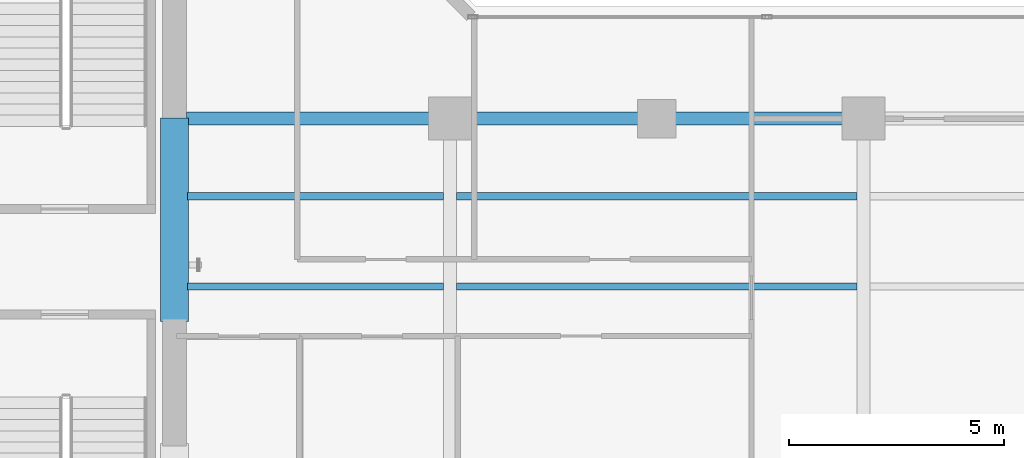
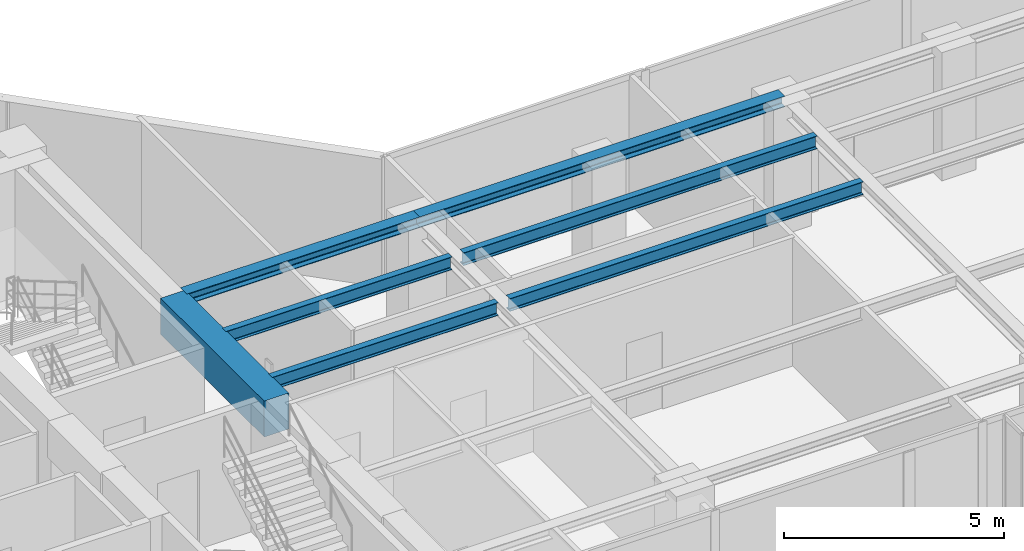
# One storey, part 6 of 24: 7 beams.
"""IFC4 building model written with IfcOpenShell, lengths in metres."""

from ifc_helpers import new_model, si_unit, direction, frame, origin, origin_2d, place, context, subcontext, project, spatial, rectangle, i_section, extrude, material, material_profile, profile_set, type_object, element, save


model = new_model("IFC4")

# Units and contexts
model_context = context("Model", 3, precision=1e-05, world=origin(), true_north=direction((0.0, 1.0)))
body_context = subcontext(model_context, "Body", "Model", "MODEL_VIEW")
ifc_project = project(units=[si_unit("LENGTHUNIT", "METRE"), si_unit("AREAUNIT", "SQUARE_METRE"), si_unit("VOLUMEUNIT", "CUBIC_METRE"), si_unit("PLANEANGLEUNIT", "RADIAN"), si_unit("MASSUNIT", "GRAM", prefix="KILO")], contexts=[model_context])

# Site, building, storey
site_placement = place(None, origin())
site = spatial("IfcSite", under=ifc_project, at=site_placement, CompositionType="ELEMENT")
building_placement = place(site_placement, origin())
building = spatial("IfcBuilding", under=site, at=building_placement, Name="Kolvaren Waterfront Exchange", CompositionType="ELEMENT")
storey_placement = place(building_placement, frame((0.0, 0.0, 238.699951171875)))
storey = spatial("IfcBuildingStorey", under=building, at=storey_placement, Name="L61", CompositionType="ELEMENT", Elevation=238.699951171875)

# Beams
ifc_material_1 = material(Name="Steel S355", Category="steel")
ifc_material_profile_1 = material_profile(ifc_material_1, i_section(OverallWidth=0.300048828125, OverallDepth=0.300048828125, WebThickness=0.010986328125, FlangeThickness=0.01904296875, FilletRadius=0.027099609375, at=origin_2d()), Name="HEB300")
ifc_profile_set_1 = profile_set([ifc_material_profile_1], Name="Steel S355")
beam_type_1 = type_object("IfcBeamType", Name="STR-BM-HEB300", PredefinedType="SPANDREL", material=ifc_profile_set_1)
beam_1_placement = place(storey_placement, frame((21.074951171875, 17.39990234375, 3.41015625), z_axis=(1.0, 0.0, 0.0), x_axis=(0.0, 1.0, 0.0)))
element("IfcBeam", 1, at=beam_1_placement, inside=storey, type_object=beam_type_1, Name="L61 east-arm spandrel N1", PredefinedType="SPANDREL", context=body_context, shape_type="SweptSolid", body=[
    extrude(i_section(OverallWidth=0.300048828125, OverallDepth=0.300048828125, WebThickness=0.010986328125, FlangeThickness=0.01904296875, FilletRadius=0.027099609375, at=origin_2d()), origin(), (0.0, 0.0, 1.0), 6.125),
])
beam_2_placement = place(storey_placement, frame((27.199951171875, 17.39990234375, 3.41015625), z_axis=(1.0, 0.0, 0.0), x_axis=(0.0, 1.0, 0.0)))
element("IfcBeam", 2, at=beam_2_placement, inside=storey, type_object=beam_type_1, Name="L61 east-arm spandrel N2", PredefinedType="SPANDREL", context=body_context, shape_type="SweptSolid", body=[
    extrude(i_section(OverallWidth=0.300048828125, OverallDepth=0.300048828125, WebThickness=0.010986328125, FlangeThickness=0.01904296875, FilletRadius=0.027099609375, at=origin_2d()), origin(), (0.0, 0.0, 1.0), 9.60009765625),
])
ifc_material_profile_2 = material_profile(ifc_material_1, i_section(OverallWidth=0.169921875, OverallDepth=0.360107421875, WebThickness=0.008056640625, FlangeThickness=0.0126953125, FilletRadius=0.01806640625, at=origin_2d()), Name="IPE360")
ifc_profile_set_2 = profile_set([ifc_material_profile_2], Name="Steel S355")
beam_type_2 = type_object("IfcBeamType", Name="STR-BM-IPE360", PredefinedType="JOIST", material=ifc_profile_set_2)
for number, where, z_axis, x_axis, name in (
    (3, (21.10009765625, 13.5, 3.380126953125), (1.0, 0.0, 0.0), (0.0, 1.0, 0.0), "L61 east-arm composite joist 1A"),
    (4, (21.10009765625, 15.60009765625, 3.380126953125), (1.0, 0.0, 0.0), (0.0, 1.0, 0.0), "L61 east-arm composite joist 1C"),
):
    element("IfcBeam", number, at=place(storey_placement, frame(where, z_axis=z_axis, x_axis=x_axis)), inside=storey, type_object=beam_type_2, Name=name, PredefinedType="JOIST", context=body_context, shape_type="SweptSolid", body=[
        extrude(i_section(OverallWidth=0.169921875, OverallDepth=0.360107421875, WebThickness=0.008056640625, FlangeThickness=0.0126953125, FilletRadius=0.01806640625, at=origin_2d()), origin(), (0.0, 0.0, 1.0), 5.947998046875),
    ])
for number, where, z_axis, x_axis, name in (
    (5, (27.35205078125, 13.5, 3.380126953125), (1.0, 0.0, 0.0), (0.0, 1.0, 0.0), "L61 east-arm composite joist 2A"),
    (6, (27.35205078125, 15.60009765625, 3.380126953125), (1.0, 0.0, 0.0), (0.0, 1.0, 0.0), "L61 east-arm composite joist 2C"),
):
    element("IfcBeam", number, at=place(storey_placement, frame(where, z_axis=z_axis, x_axis=x_axis)), inside=storey, type_object=beam_type_2, Name=name, PredefinedType="JOIST", context=body_context, shape_type="SweptSolid", body=[
        extrude(i_section(OverallWidth=0.169921875, OverallDepth=0.360107421875, WebThickness=0.008056640625, FlangeThickness=0.0126953125, FilletRadius=0.01806640625, at=origin_2d()), origin(), (0.0, 0.0, 1.0), 9.2958984375),
    ])
ifc_material_2 = material(Name="Concrete C60/75", Category="concrete")
ifc_material_profile_3 = material_profile(ifc_material_2, rectangle(XDim=0.64990234375, YDim=1.0, at=origin_2d()), Name="RC-CB-1000x650")
ifc_profile_set_3 = profile_set([ifc_material_profile_3], Name="Concrete C60/75")
beam_type_3 = type_object("IfcBeamType", Name="STR-CB-1000", PredefinedType="SPANDREL", material=ifc_profile_set_3)
beam_3_placement = place(storey_placement, frame((20.800048828125, 12.68994140625, 3.06005859375), z_axis=(0.0, 1.0, 0.0), x_axis=(-1.0, 0.0, 0.0)))
element("IfcBeam", 7, at=beam_3_placement, inside=storey, type_object=beam_type_3, Name="L61 core coupling beam 2", PredefinedType="SPANDREL", context=body_context, shape_type="SweptSolid", body=[
    extrude(rectangle(XDim=0.64990234375, YDim=1.0, at=origin_2d()), origin(), (0.0, 0.0, 1.0), 4.719970703125),
])

save(model, "model.ifc")
